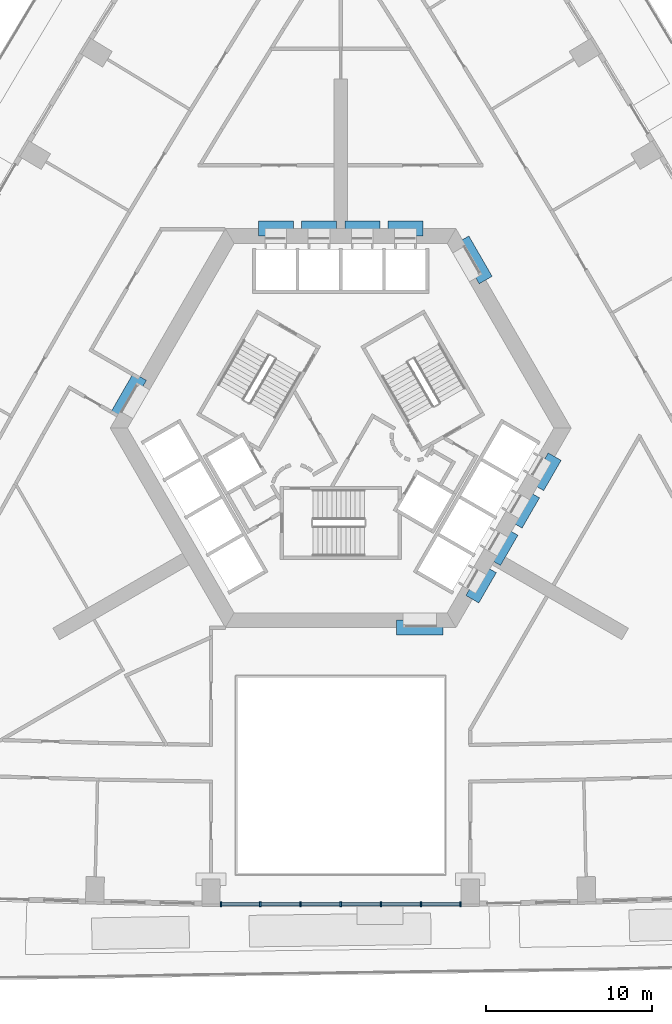
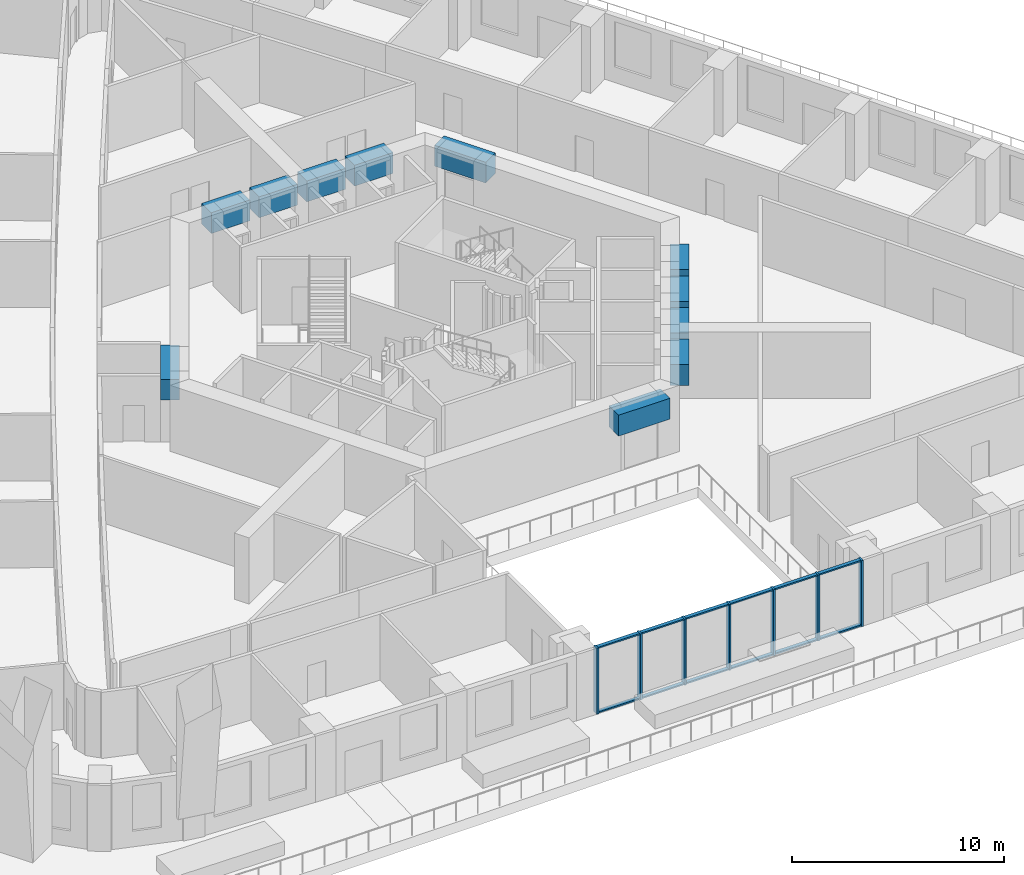
# One storey, part 2 of 16: 19 members, 11 beams, 1 element without a shape of its own.
"""IFC4 building model written with IfcOpenShell, lengths in metres."""

from ifc_helpers import new_model, si_unit, direction, frame, origin, origin_2d, place, context, subcontext, project, spatial, rectangle, extrude, material, material_profile, profile_set, type_object, element, aggregate, save


model = new_model("IFC4")

# Units and contexts
model_context = context("Model", 3, precision=1e-05, world=origin(), true_north=direction((0.0, 1.0)))
body_context = subcontext(model_context, "Body", "Model", "MODEL_VIEW")
ifc_project = project(units=[si_unit("LENGTHUNIT", "METRE"), si_unit("AREAUNIT", "SQUARE_METRE"), si_unit("VOLUMEUNIT", "CUBIC_METRE"), si_unit("PLANEANGLEUNIT", "RADIAN"), si_unit("MASSUNIT", "GRAM", prefix="KILO")], contexts=[model_context])

# Site, building, storey
site_placement = place(None, origin())
site = spatial("IfcSite", under=ifc_project, at=site_placement, CompositionType="ELEMENT")
building_placement = place(site_placement, origin())
building = spatial("IfcBuilding", under=site, at=building_placement, Name="Entoto Arch Interchange Tower", CompositionType="ELEMENT")
storey_placement = place(building_placement, frame((0.0, 0.0, 86.60009765625)))
storey = spatial("IfcBuildingStorey", under=building, at=storey_placement, Name="L18", CompositionType="ELEMENT", Elevation=86.60009765625)

# Beams
ifc_material_1 = material(Name="Concrete C60/75", Category="concrete")
ifc_material_profile_1 = material_profile(ifc_material_1, rectangle(XDim=0.89990234375, YDim=1.199951171875, at=origin_2d()))
ifc_profile_set_1 = profile_set([ifc_material_profile_1], Name="Concrete C60/75")
beam_type = type_object("IfcBeamType", Name="Coupling beam RC 900x1200 C60/75", PredefinedType="BEAM", material=ifc_profile_set_1)
beam_1_placement = place(storey_placement, frame((8.717041015625, 11.402099609375, 3.0), z_axis=(-0.500200581029, 0.865909567298, 0.0), x_axis=(-0.865909567298, -0.500200581029, 0.0)))
element("IfcBeam", 1, at=beam_1_placement, inside=storey, type_object=beam_type, Name="Coupling beam NE L18", PredefinedType="BEAM", context=body_context, shape_type="SweptSolid", body=[
    extrude(rectangle(XDim=0.89990234375, YDim=1.199951171875, at=origin_2d()), origin(), (0.0, 0.0, 1.0), 2.799072265625),
])
beam_2_placement = place(storey_placement, frame((4.949951171875, 14.5, 3.0), z_axis=(-1.0, 0.0, 0.0), x_axis=(0.0, -1.0, 0.0)))
element("IfcBeam", 2, at=beam_2_placement, inside=storey, type_object=beam_type, Name="Coupling beam N L18", PredefinedType="BEAM", context=body_context, shape_type="SweptSolid", body=[
    extrude(rectangle(XDim=0.89990234375, YDim=1.199951171875, at=origin_2d()), origin(), (0.0, 0.0, 1.0), 2.099853515625),
])
for number, where, z_axis, x_axis, name in (
    (3, (2.35009765625, 14.5, 3.0), (-1.0, 0.0, 0.0), (0.0, -1.0, 0.0), "Coupling beam N L18"),
    (4, (-0.25, 14.5, 3.0), (-1.0, 0.0, 0.0), (0.0, -1.0, 0.0), "Coupling beam N L18"),
):
    element("IfcBeam", number, at=place(storey_placement, frame(where, z_axis=z_axis, x_axis=x_axis)), inside=storey, type_object=beam_type, Name=name, PredefinedType="BEAM", context=body_context, shape_type="SweptSolid", body=[
        extrude(rectangle(XDim=0.89990234375, YDim=1.199951171875, at=origin_2d()), origin(), (0.0, 0.0, 1.0), 2.10009765625),
    ])
beam_3_placement = place(storey_placement, frame((-2.85009765625, 14.5, 3.0), z_axis=(-1.0, 0.0, 0.0), x_axis=(0.0, -1.0, 0.0)))
element("IfcBeam", 5, at=beam_3_placement, inside=storey, type_object=beam_type, Name="Coupling beam N L18", PredefinedType="BEAM", context=body_context, shape_type="SweptSolid", body=[
    extrude(rectangle(XDim=0.89990234375, YDim=1.199951171875, at=origin_2d()), origin(), (0.0, 0.0, 1.0), 2.099853515625),
])
beam_4_placement = place(storey_placement, frame((-12.06689453125, 5.597900390625, 3.0), z_axis=(-0.500200581029, -0.865909567298, 0.0), x_axis=(0.865909567298, -0.500200581029, 0.0)))
element("IfcBeam", 6, at=beam_4_placement, inside=storey, type_object=beam_type, Name="Coupling beam NW L18", PredefinedType="BEAM", context=body_context, shape_type="SweptSolid", body=[
    extrude(rectangle(XDim=0.89990234375, YDim=1.199951171875, at=origin_2d()), origin(), (0.0, 0.0, 1.0), 2.799072265625),
])
beam_5_placement = place(storey_placement, frame((3.35009765625, -9.5, 3.0), z_axis=(1.0, 0.0, 0.0), x_axis=(0.0, 1.0, 0.0)))
element("IfcBeam", 7, at=beam_5_placement, inside=storey, type_object=beam_type, Name="Coupling beam S L18", PredefinedType="BEAM", context=body_context, shape_type="SweptSolid", body=[
    extrude(rectangle(XDim=0.89990234375, YDim=1.199951171875, at=origin_2d()), origin(), (0.0, 0.0, 1.0), 2.7998046875),
])
for number, where, z_axis, x_axis, name in (
    (8, (7.9169921875, -7.785888671875, 3.0), (0.500178781653, 0.865922159541, 0.0), (-0.865922159541, 0.500178781653, 0.0), "Coupling beam SE L18"),
    (9, (9.217041015625, -5.534912109375, 3.0), (0.500178781653, 0.865922159541, 0.0), (-0.865922159541, 0.500178781653, 0.0), "Coupling beam SE L18"),
):
    element("IfcBeam", number, at=place(storey_placement, frame(where, z_axis=z_axis, x_axis=x_axis)), inside=storey, type_object=beam_type, Name=name, PredefinedType="BEAM", context=body_context, shape_type="SweptSolid", body=[
        extrude(rectangle(XDim=0.89990234375, YDim=1.199951171875, at=origin_2d()), origin(), (0.0, 0.0, 1.0), 2.099365234375),
    ])
beam_6_placement = place(storey_placement, frame((10.51708984375, -3.282958984375, 3.0), z_axis=(0.500091574638, 0.865972526687, 0.0), x_axis=(-0.865972526687, 0.500091574638, 0.0)))
element("IfcBeam", 10, at=beam_6_placement, inside=storey, type_object=beam_type, Name="Coupling beam SE L18", PredefinedType="BEAM", context=body_context, shape_type="SweptSolid", body=[
    extrude(rectangle(XDim=0.89990234375, YDim=1.199951171875, at=origin_2d()), origin(), (0.0, 0.0, 1.0), 2.09912109375),
])
beam_7_placement = place(storey_placement, frame((11.81689453125, -1.031982421875, 3.0), z_axis=(0.500178781653, 0.865922159541, 0.0), x_axis=(-0.865922159541, 0.500178781653, 0.0)))
element("IfcBeam", 11, at=beam_7_placement, inside=storey, type_object=beam_type, Name="Coupling beam SE L18", PredefinedType="BEAM", context=body_context, shape_type="SweptSolid", body=[
    extrude(rectangle(XDim=0.89990234375, YDim=1.199951171875, at=origin_2d()), origin(), (0.0, 0.0, 1.0), 2.099365234375),
])

# Curtain wall, members
ifc_material_2 = material(Name="Aluminium, anodised", Category="aluminium")
curtain_wall_type = type_object("IfcCurtainWallType", Name="CURTAIN WALL ATRIUM", PredefinedType="NOTDEFINED", material=ifc_material_2)
curtain_wall_placement = place(storey_placement, origin())
curtain_wall = element("IfcCurtainWall", 12, at=curtain_wall_placement, inside=storey, type_object=curtain_wall_type, Name="Atrium glazing S-04 L18", PredefinedType="NOTDEFINED")
ifc_material_profile_2 = material_profile(ifc_material_2, rectangle(XDim=0.300048828125, YDim=0.10009765625, at=origin_2d()))
ifc_profile_set_2 = profile_set([ifc_material_profile_2], Name="Aluminium, anodised")
member_type_1 = type_object("IfcMemberType", Name="MULLION ATRIUM 100x300", PredefinedType="MULLION", material=ifc_profile_set_2)
member_1_placement = place(storey_placement, frame((-7.199951171875, -26.1259765625, 0.0), z_axis=(0.0, 0.0, 1.0), x_axis=(0.0, 1.0, 0.0)))
member_1 = element("IfcMember", 13, at=member_1_placement, type_object=member_type_1, Name="CWA mullion 1", PredefinedType="MULLION", context=body_context, shape_type="SweptSolid", body=[
    extrude(rectangle(XDim=0.300048828125, YDim=0.10009765625, at=origin_2d()), origin(), (0.0, 0.0, 1.0), 3.7998046875),
])
member_2_placement = place(storey_placement, frame((-4.833251953125, -26.1259765625, 0.0), z_axis=(0.0, 0.0, 1.0), x_axis=(0.0, 1.0, 0.0)))
member_2 = element("IfcMember", 14, at=member_2_placement, type_object=member_type_1, Name="CWA mullion 2", PredefinedType="MULLION", context=body_context, shape_type="SweptSolid", body=[
    extrude(rectangle(XDim=0.300048828125, YDim=0.10009765625, at=origin_2d()), origin(), (0.0, 0.0, 1.0), 3.7998046875),
])
member_3_placement = place(storey_placement, frame((-2.416748046875, -26.1259765625, 0.0), z_axis=(0.0, 0.0, 1.0), x_axis=(0.0, 1.0, 0.0)))
member_3 = element("IfcMember", 15, at=member_3_placement, type_object=member_type_1, Name="CWA mullion 3", PredefinedType="MULLION", context=body_context, shape_type="SweptSolid", body=[
    extrude(rectangle(XDim=0.300048828125, YDim=0.10009765625, at=origin_2d()), origin(), (0.0, 0.0, 1.0), 3.7998046875),
])
member_4_placement = place(storey_placement, frame((0.0, -26.1259765625, 0.0), z_axis=(0.0, 0.0, 1.0), x_axis=(0.0, 1.0, 0.0)))
member_4 = element("IfcMember", 16, at=member_4_placement, type_object=member_type_1, Name="CWA mullion 4", PredefinedType="MULLION", context=body_context, shape_type="SweptSolid", body=[
    extrude(rectangle(XDim=0.300048828125, YDim=0.10009765625, at=origin_2d()), origin(), (0.0, 0.0, 1.0), 3.7998046875),
])
member_5_placement = place(storey_placement, frame((2.416748046875, -26.1259765625, 0.0), z_axis=(0.0, 0.0, 1.0), x_axis=(0.0, 1.0, 0.0)))
member_5 = element("IfcMember", 17, at=member_5_placement, type_object=member_type_1, Name="CWA mullion 5", PredefinedType="MULLION", context=body_context, shape_type="SweptSolid", body=[
    extrude(rectangle(XDim=0.300048828125, YDim=0.10009765625, at=origin_2d()), origin(), (0.0, 0.0, 1.0), 3.7998046875),
])
member_6_placement = place(storey_placement, frame((4.833251953125, -26.1259765625, 0.0), z_axis=(0.0, 0.0, 1.0), x_axis=(0.0, 1.0, 0.0)))
member_6 = element("IfcMember", 18, at=member_6_placement, type_object=member_type_1, Name="CWA mullion 6", PredefinedType="MULLION", context=body_context, shape_type="SweptSolid", body=[
    extrude(rectangle(XDim=0.300048828125, YDim=0.10009765625, at=origin_2d()), origin(), (0.0, 0.0, 1.0), 3.7998046875),
])
member_7_placement = place(storey_placement, frame((7.199951171875, -26.1259765625, 0.0), z_axis=(0.0, 0.0, 1.0), x_axis=(0.0, 1.0, 0.0)))
member_7 = element("IfcMember", 19, at=member_7_placement, type_object=member_type_1, Name="CWA mullion 7", PredefinedType="MULLION", context=body_context, shape_type="SweptSolid", body=[
    extrude(rectangle(XDim=0.300048828125, YDim=0.10009765625, at=origin_2d()), origin(), (0.0, 0.0, 1.0), 3.7998046875),
])
ifc_material_profile_3 = material_profile(ifc_material_2, rectangle(XDim=0.199951171875, YDim=0.080078125, at=origin_2d()))
ifc_profile_set_3 = profile_set([ifc_material_profile_3], Name="Aluminium, anodised")
member_type_2 = type_object("IfcMemberType", Name="TRANSOM ATRIUM 80x200", PredefinedType="USERDEFINED", material=ifc_profile_set_3)
member_8_placement = place(storey_placement, frame((-7.14990234375, -26.1259765625, 0.039794921875), z_axis=(1.0, 0.0, 0.0), x_axis=(0.0, 1.0, 0.0)))
member_8 = element("IfcMember", 20, at=member_8_placement, type_object=member_type_2, Name="CWA transom 1.1", ObjectType="TRANSOM", PredefinedType="USERDEFINED", context=body_context, shape_type="SweptSolid", body=[
    extrude(rectangle(XDim=0.199951171875, YDim=0.080078125, at=origin_2d()), origin(), (0.0, 0.0, 1.0), 2.2666015625),
])
member_9_placement = place(storey_placement, frame((-7.14990234375, -26.1259765625, 3.760009765625), z_axis=(1.0, 0.0, 0.0), x_axis=(0.0, 1.0, 0.0)))
member_9 = element("IfcMember", 21, at=member_9_placement, type_object=member_type_2, Name="CWA transom 1.2", ObjectType="TRANSOM", PredefinedType="USERDEFINED", context=body_context, shape_type="SweptSolid", body=[
    extrude(rectangle(XDim=0.199951171875, YDim=0.080078125, at=origin_2d()), origin(), (0.0, 0.0, 1.0), 2.2666015625),
])
member_10_placement = place(storey_placement, frame((-4.783447265625, -26.1259765625, 0.039794921875), z_axis=(1.0, 0.0, 0.0), x_axis=(0.0, 1.0, 0.0)))
member_10 = element("IfcMember", 22, at=member_10_placement, type_object=member_type_2, Name="CWA transom 2.1", ObjectType="TRANSOM", PredefinedType="USERDEFINED", context=body_context, shape_type="SweptSolid", body=[
    extrude(rectangle(XDim=0.199951171875, YDim=0.080078125, at=origin_2d()), origin(), (0.0, 0.0, 1.0), 2.31689453125),
])
member_11_placement = place(storey_placement, frame((-4.783447265625, -26.1259765625, 3.760009765625), z_axis=(1.0, 0.0, 0.0), x_axis=(0.0, 1.0, 0.0)))
member_11 = element("IfcMember", 23, at=member_11_placement, type_object=member_type_2, Name="CWA transom 2.2", ObjectType="TRANSOM", PredefinedType="USERDEFINED", context=body_context, shape_type="SweptSolid", body=[
    extrude(rectangle(XDim=0.199951171875, YDim=0.080078125, at=origin_2d()), origin(), (0.0, 0.0, 1.0), 2.31689453125),
])
member_12_placement = place(storey_placement, frame((-2.36669921875, -26.1259765625, 0.039794921875), z_axis=(1.0, 0.0, 0.0), x_axis=(0.0, 1.0, 0.0)))
member_12 = element("IfcMember", 24, at=member_12_placement, type_object=member_type_2, Name="CWA transom 3.1", ObjectType="TRANSOM", PredefinedType="USERDEFINED", context=body_context, shape_type="SweptSolid", body=[
    extrude(rectangle(XDim=0.199951171875, YDim=0.080078125, at=origin_2d()), origin(), (0.0, 0.0, 1.0), 2.316650390625),
])
member_13_placement = place(storey_placement, frame((-2.36669921875, -26.1259765625, 3.760009765625), z_axis=(1.0, 0.0, 0.0), x_axis=(0.0, 1.0, 0.0)))
member_13 = element("IfcMember", 25, at=member_13_placement, type_object=member_type_2, Name="CWA transom 3.2", ObjectType="TRANSOM", PredefinedType="USERDEFINED", context=body_context, shape_type="SweptSolid", body=[
    extrude(rectangle(XDim=0.199951171875, YDim=0.080078125, at=origin_2d()), origin(), (0.0, 0.0, 1.0), 2.316650390625),
])
member_14_placement = place(storey_placement, frame((0.050048828125, -26.1259765625, 0.039794921875), z_axis=(1.0, 0.0, 0.0), x_axis=(0.0, 1.0, 0.0)))
member_14 = element("IfcMember", 26, at=member_14_placement, type_object=member_type_2, Name="CWA transom 4.1", ObjectType="TRANSOM", PredefinedType="USERDEFINED", context=body_context, shape_type="SweptSolid", body=[
    extrude(rectangle(XDim=0.199951171875, YDim=0.080078125, at=origin_2d()), origin(), (0.0, 0.0, 1.0), 2.316650390625),
])
member_15_placement = place(storey_placement, frame((0.050048828125, -26.1259765625, 3.760009765625), z_axis=(1.0, 0.0, 0.0), x_axis=(0.0, 1.0, 0.0)))
member_15 = element("IfcMember", 27, at=member_15_placement, type_object=member_type_2, Name="CWA transom 4.2", ObjectType="TRANSOM", PredefinedType="USERDEFINED", context=body_context, shape_type="SweptSolid", body=[
    extrude(rectangle(XDim=0.199951171875, YDim=0.080078125, at=origin_2d()), origin(), (0.0, 0.0, 1.0), 2.316650390625),
])
member_16_placement = place(storey_placement, frame((2.466552734375, -26.1259765625, 0.039794921875), z_axis=(1.0, 0.0, 0.0), x_axis=(0.0, 1.0, 0.0)))
member_16 = element("IfcMember", 28, at=member_16_placement, type_object=member_type_2, Name="CWA transom 5.1", ObjectType="TRANSOM", PredefinedType="USERDEFINED", context=body_context, shape_type="SweptSolid", body=[
    extrude(rectangle(XDim=0.199951171875, YDim=0.080078125, at=origin_2d()), origin(), (0.0, 0.0, 1.0), 2.31689453125),
])
member_17_placement = place(storey_placement, frame((2.466552734375, -26.1259765625, 3.760009765625), z_axis=(1.0, 0.0, 0.0), x_axis=(0.0, 1.0, 0.0)))
member_17 = element("IfcMember", 29, at=member_17_placement, type_object=member_type_2, Name="CWA transom 5.2", ObjectType="TRANSOM", PredefinedType="USERDEFINED", context=body_context, shape_type="SweptSolid", body=[
    extrude(rectangle(XDim=0.199951171875, YDim=0.080078125, at=origin_2d()), origin(), (0.0, 0.0, 1.0), 2.31689453125),
])
member_18_placement = place(storey_placement, frame((4.88330078125, -26.1259765625, 0.039794921875), z_axis=(1.0, 0.0, 0.0), x_axis=(0.0, 1.0, 0.0)))
member_18 = element("IfcMember", 30, at=member_18_placement, type_object=member_type_2, Name="CWA transom 6.1", ObjectType="TRANSOM", PredefinedType="USERDEFINED", context=body_context, shape_type="SweptSolid", body=[
    extrude(rectangle(XDim=0.199951171875, YDim=0.080078125, at=origin_2d()), origin(), (0.0, 0.0, 1.0), 2.2666015625),
])
member_19_placement = place(storey_placement, frame((4.88330078125, -26.1259765625, 3.760009765625), z_axis=(1.0, 0.0, 0.0), x_axis=(0.0, 1.0, 0.0)))
member_19 = element("IfcMember", 31, at=member_19_placement, type_object=member_type_2, Name="CWA transom 6.2", ObjectType="TRANSOM", PredefinedType="USERDEFINED", context=body_context, shape_type="SweptSolid", body=[
    extrude(rectangle(XDim=0.199951171875, YDim=0.080078125, at=origin_2d()), origin(), (0.0, 0.0, 1.0), 2.2666015625),
])
aggregate(curtain_wall, [member_1, member_2, member_3, member_4, member_5, member_6, member_7, member_8, member_9, member_10, member_11, member_12, member_13, member_14, member_15, member_16, member_17, member_18, member_19])

save(model, "model.ifc")
